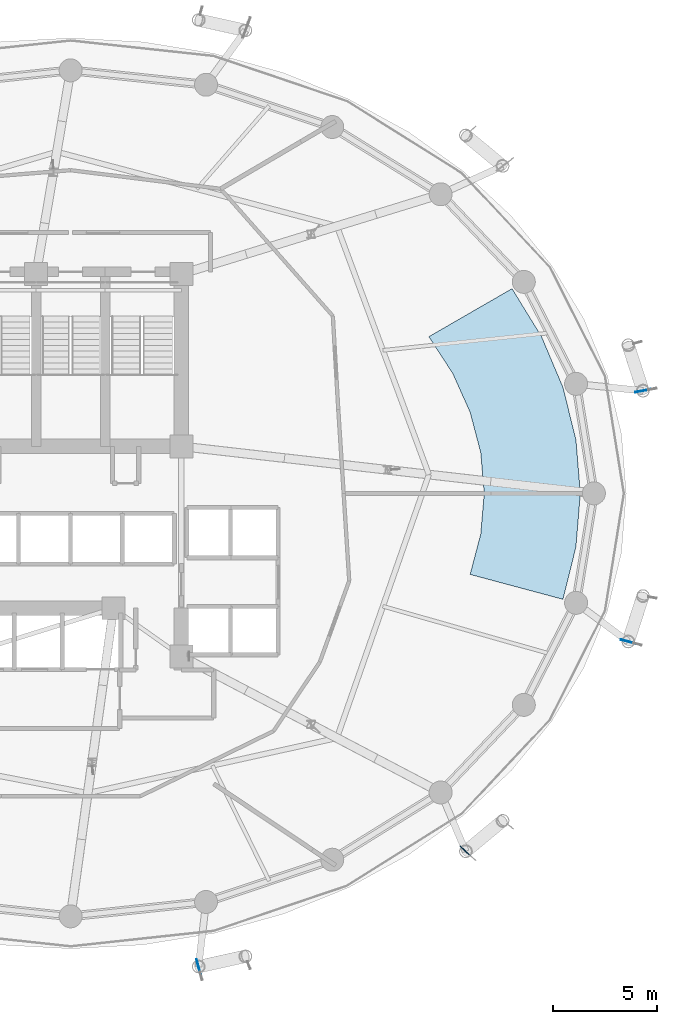
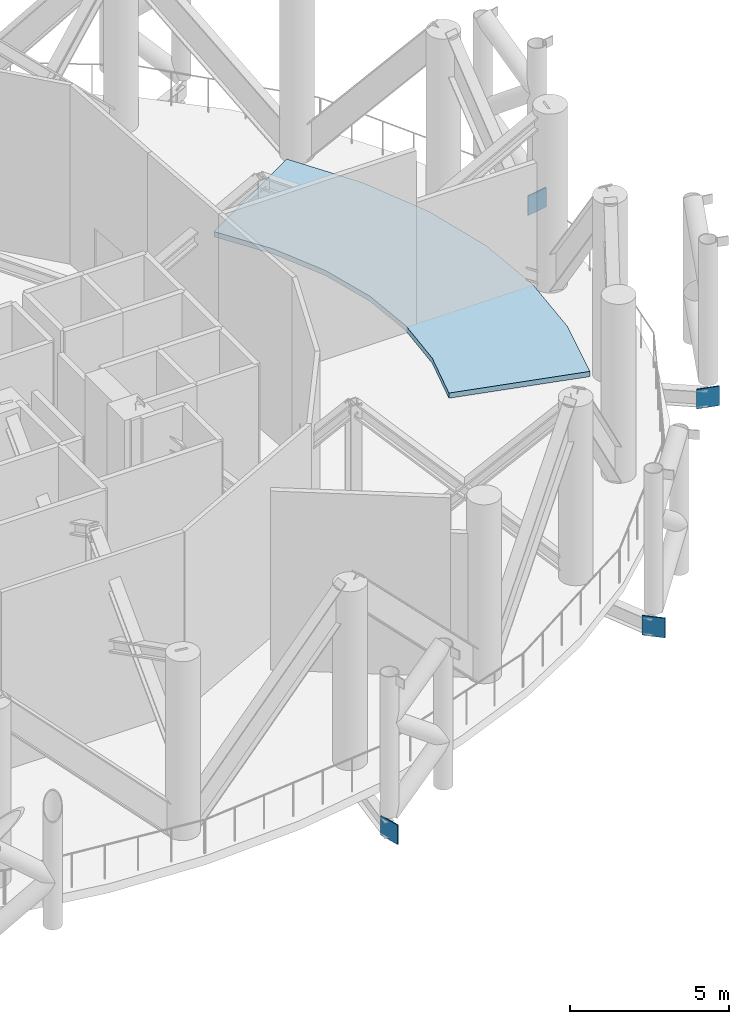
# One storey, part 7 of 19: 4 plates, 1 slab.
"""IFC4 building model written with IfcOpenShell, lengths in metres."""

from ifc_helpers import new_model, si_unit, direction, frame, origin, origin_2d, place, context, subcontext, project, spatial, polyline, rectangle, outline, extrude, material, layer, layer_set, type_object, element, save


model = new_model("IFC4")

# Units and contexts
model_context = context("Model", 3, precision=1e-05, world=origin(), true_north=direction((0.0, 1.0)))
body_context = subcontext(model_context, "Body", "Model", "MODEL_VIEW")
ifc_project = project(units=[si_unit("LENGTHUNIT", "METRE"), si_unit("AREAUNIT", "SQUARE_METRE"), si_unit("VOLUMEUNIT", "CUBIC_METRE"), si_unit("PLANEANGLEUNIT", "RADIAN"), si_unit("MASSUNIT", "GRAM", prefix="KILO")], contexts=[model_context])

# Site, building, storey
site_placement = place(None, origin())
site = spatial("IfcSite", under=ifc_project, at=site_placement, CompositionType="ELEMENT")
building_placement = place(site_placement, origin())
building = spatial("IfcBuilding", under=site, at=building_placement, Name="Nuhasar Tower", CompositionType="ELEMENT")
storey_placement = place(building_placement, frame((0.0, 0.0, 106.050048828125)))
storey = spatial("IfcBuildingStorey", under=building, at=storey_placement, Name="L25", CompositionType="ELEMENT", Elevation=106.050048828125)

# Plates
ifc_material_1 = material(Name="Steel S460", Category="steel")
ifc_layer_1 = layer(ifc_material_1, 0.0400390625)
ifc_layer_set_1 = layer_set([ifc_layer_1], Name="Steel S460")
plate_type = type_object("IfcPlateType", Name="PLT-GUSSET-40", PredefinedType="SHEET", material=ifc_layer_set_1)
for number, where, z_axis, x_axis, name in (
    (1, (66.39990234375, 31.7099609375, -1.030029296875), (0.0, 0.0, 1.0), (0.984322075157, 0.176380419433, 0.0), "L25 Bronze Diagrid Gusset Node Plate 01"),
    (2, (45.1240234375, 4.14111328125, -1.030029296875), (0.0, 0.0, 1.0), (0.260908902007, -0.965363426308, 0.0), "L25 Bronze Diagrid Gusset Node Plate 10"),
    (3, (57.9130859375, 9.660888671875, -1.030029296875), (0.0, 0.0, 1.0), (0.741003867187, -0.671500758611, 0.0), "L25 Bronze Diagrid Gusset Node Plate 11"),
    (4, (65.69189453125, 19.700927734375, -1.030029296875), (0.0, 0.0, 1.0), (0.966403000906, -0.257031593079, 0.0), "L25 Bronze Diagrid Gusset Node Plate 12"),
):
    element("IfcPlate", number, at=place(storey_placement, frame(where, z_axis=z_axis, x_axis=x_axis)), inside=storey, type_object=plate_type, Name=name, PredefinedType="SHEET", context=body_context, shape_type="SweptSolid", body=[
        extrude(rectangle(XDim=0.75, YDim=0.0400390625, at=origin_2d()), origin(), (0.0, 0.0, 1.0), 0.75),
    ])

# Slab
ifc_material_2 = material(Name="Concrete C50/60", Category="concrete")
ifc_layer_2 = layer(ifc_material_2, 0.199951171875)
ifc_layer_set_2 = layer_set([ifc_layer_2], Name="Concrete C50/60")
slab_type = type_object("IfcSlabType", Name="SLB-PLN-200", PredefinedType="BASESLAB", material=ifc_layer_set_2)
slab_placement = place(storey_placement, origin())
element("IfcSlab", 5, at=slab_placement, inside=storey, type_object=slab_type, Name="L25 Mechanical Plant Plinth Slab East", PredefinedType="BASESLAB", context=body_context, shape_type="SweptSolid", body=[
    extrude(outline(polyline([(62.569091796875, 21.72705078125), (63.19091796875, 24.241943359375), (63.39990234375, 26.800048828125), (63.19091796875, 29.35791015625), (62.569091796875, 31.873046875), (61.54296875, 34.301025390625), (60.131103515625, 36.60009765625), (56.14697265625, 34.300048828125), (57.29296875, 32.5400390625), (58.125, 30.681884765625), (58.631103515625, 28.758056640625), (58.800048828125, 26.800048828125), (58.631103515625, 24.842041015625), (58.125, 22.91796875), (62.569091796875, 21.72705078125)])), origin(), (0.0, 0.0, 1.0), 0.199951171875),
])

save(model, "model.ifc")
